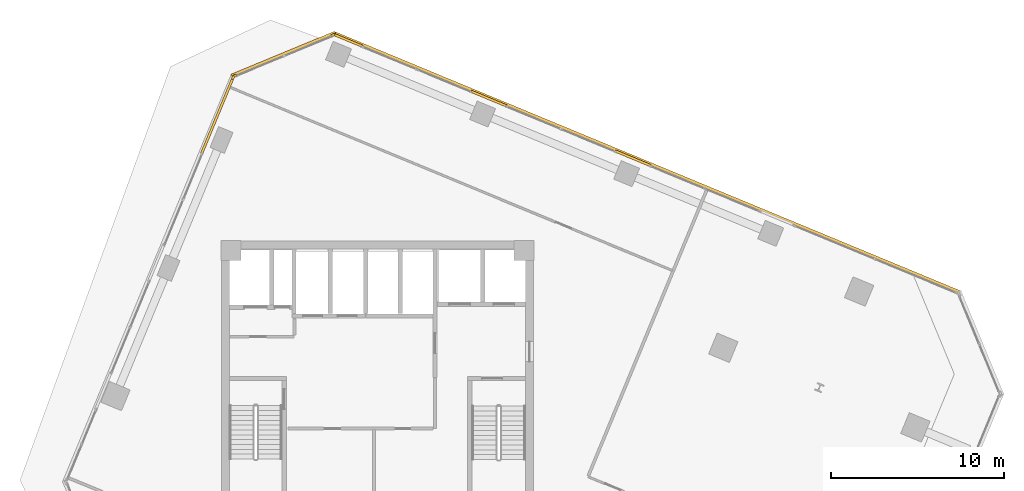
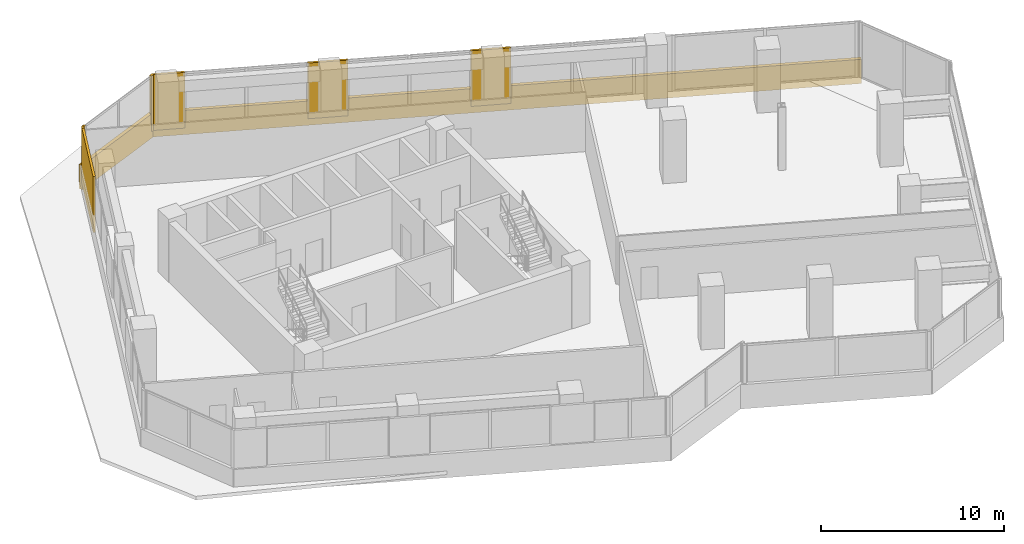
# One storey, part 24 of 24: 9 coverings.
"""IFC4 building model written with IfcOpenShell, lengths in metres."""

from ifc_helpers import new_model, si_unit, direction, frame, origin, origin_2d, place, context, subcontext, project, spatial, rectangle, extrude, source, transform, mapped, material, layer, layer_set, type_object, element, save


model = new_model("IFC4")

# Units and contexts
model_context = context("Model", 3, precision=1e-05, world=origin(), true_north=direction((0.0, 1.0)))
body_context = subcontext(model_context, "Body", "Model", "MODEL_VIEW")
ifc_project = project(units=[si_unit("LENGTHUNIT", "METRE"), si_unit("AREAUNIT", "SQUARE_METRE"), si_unit("VOLUMEUNIT", "CUBIC_METRE"), si_unit("PLANEANGLEUNIT", "RADIAN"), si_unit("MASSUNIT", "GRAM", prefix="KILO")], contexts=[model_context])

# Site, building, storey
site_placement = place(None, origin())
site = spatial("IfcSite", under=ifc_project, at=site_placement, CompositionType="ELEMENT")
building_placement = place(site_placement, origin())
building = spatial("IfcBuilding", under=site, at=building_placement, Name="Torre Montelarca", CompositionType="ELEMENT")
storey_placement = place(building_placement, frame((0.0, 0.0, 141.39990234375)))
storey = spatial("IfcBuildingStorey", under=building, at=storey_placement, Name="L31", CompositionType="ELEMENT", Elevation=141.39990234375)

# Coverings
ifc_material = material(Name="Bush-hammered warm white precast concrete C45/55", Category="concrete")
ifc_layer = layer(ifc_material, 0.139892578125, Name="Bush-hammered warm white precast concrete C45/55", Category="concrete")
ifc_layer_set = layer_set([ifc_layer], Name="Bush-hammered warm white precast concrete C45/55")
covering_type = type_object("IfcCoveringType", Name="COV-TRAY-CLAD", PredefinedType="CLADDING", material=ifc_layer_set)
shared_shape_1 = source(origin(), body_context, "Body", "SweptSolid", [
    extrude(rectangle(XDim=6.48388671875, YDim=0.219970703125, at=origin_2d()), origin(), (0.0, 0.0, 1.0), 1.6201171875),
])
covering_1_placement = place(storey_placement, frame((12.575927734375, 50.77294921875, -0.449951171875), z_axis=(0.0, 0.0, 1.0), x_axis=(-0.923880200418, -0.382681819891, 0.0)))
element("IfcCovering", 1, at=covering_1_placement, inside=storey, type_object=covering_type, Name="L31 Architectural White Spandrel Tray Band TRYBOT-09", PredefinedType="CLADDING", context=body_context, shape_type="MappedRepresentation", body=[
    mapped(shared_shape_1, transform((0.0, 0.0, 0.0), scale=1.0)),
])
shared_shape_2 = source(origin(), body_context, "Body", "SweptSolid", [
    extrude(rectangle(XDim=0.199951171875, YDim=0.139892578125, at=origin_2d()), origin(), (0.0, 0.0, 1.0), 3.719970703125),
])
for number, where, z_axis, x_axis, name in (
    (2, (15.431640625, 51.890869140625, 0.0), (0.0, 0.0, 1.0), (-0.923879532511, -0.382683432365, 0.0), "L31 Architectural Column Pier Cladding E09-1"),
    (3, (9.76611328125, 49.544189453125, 0.0), (0.0, 0.0, 1.0), (-0.923879532511, -0.382683432365, 0.0), "L31 Architectural Column Pier Cladding E09-2"),
    (4, (9.66357421875, 49.44140625, 0.0), (0.0, 0.0, 1.0), (-0.382680207415, -0.923880868323, 0.0), "L31 Architectural Column Pier Cladding E10-1"),
):
    element("IfcCovering", number, at=place(storey_placement, frame(where, z_axis=z_axis, x_axis=x_axis)), inside=storey, type_object=covering_type, Name=name, PredefinedType="CLADDING", context=body_context, shape_type="MappedRepresentation", body=[
        mapped(shared_shape_2, transform((0.0, 0.0, 0.0), scale=1.0)),
    ])
shared_shape_3 = source(origin(), body_context, "Body", "SweptSolid", [
    extrude(rectangle(XDim=4.76416015625, YDim=0.139892578125, at=origin_2d()), origin(), (0.0, 0.0, 1.0), 3.719970703125),
])
covering_2_placement = place(storey_placement, frame((8.751953125, 47.24072265625, 0.0), z_axis=(0.0, 0.0, 1.0), x_axis=(-0.382680207415, -0.923880868323, 0.0)))
element("IfcCovering", 5, at=covering_2_placement, inside=storey, type_object=covering_type, Name="L31 Architectural Column Pier Cladding E10-2", PredefinedType="CLADDING", context=body_context, shape_type="MappedRepresentation", body=[
    mapped(shared_shape_3, transform((0.0, 0.0, 0.0), scale=1.0)),
])
shared_shape_4 = source(origin(), body_context, "Body", "SweptSolid", [
    extrude(rectangle(XDim=39.219970703125, YDim=0.219970703125, at=origin_2d()), origin(), (0.0, 0.0, 1.0), 1.6201171875),
])
covering_3_placement = place(storey_placement, frame((33.5546875, 44.509033203125, -0.449951171875), z_axis=(0.0, 0.0, 1.0), x_axis=(-0.923878864601, 0.382685044838, 0.0)))
element("IfcCovering", 6, at=covering_3_placement, inside=storey, type_object=covering_type, Name="L31 Architectural White Spandrel Tray Band TRYBOT-08", PredefinedType="CLADDING", context=body_context, shape_type="MappedRepresentation", body=[
    mapped(shared_shape_4, transform((0.0, 0.0, 0.0), scale=1.0)),
])
shared_shape_5 = source(origin(), body_context, "Body", "SweptSolid", [
    extrude(rectangle(XDim=2.2099609375, YDim=0.139892578125, at=origin_2d()), origin(), (0.0, 0.0, 1.0), 3.719970703125),
])
for number, where, z_axis, x_axis, name in (
    (7, (32.746337890625, 44.77880859375, 0.0), (0.0, 0.0, 1.0), (-0.923878864601, 0.382685044838, 0.0), "L31 Architectural Column Pier Cladding E08-3"),
    (8, (24.431396484375, 48.22314453125, 0.0), (0.0, 0.0, 1.0), (-0.923878864601, 0.382685044838, 0.0), "L31 Architectural Column Pier Cladding E08-4"),
):
    element("IfcCovering", number, at=place(storey_placement, frame(where, z_axis=z_axis, x_axis=x_axis)), inside=storey, type_object=covering_type, Name=name, PredefinedType="CLADDING", context=body_context, shape_type="MappedRepresentation", body=[
        mapped(shared_shape_5, transform((0.0, 0.0, 0.0), scale=1.0)),
    ])
shared_shape_6 = source(origin(), body_context, "Body", "SweptSolid", [
    extrude(rectangle(XDim=1.789306640625, YDim=0.139892578125, at=origin_2d()), origin(), (0.0, 0.0, 1.0), 3.719970703125),
])
covering_4_placement = place(storey_placement, frame((16.31103515625, 51.586669921875, 0.0), z_axis=(0.0, 0.0, 1.0), x_axis=(-0.923878864601, 0.382685044838, 0.0)))
element("IfcCovering", 9, at=covering_4_placement, inside=storey, type_object=covering_type, Name="L31 Architectural Column Pier Cladding E08-5", PredefinedType="CLADDING", context=body_context, shape_type="MappedRepresentation", body=[
    mapped(shared_shape_6, transform((0.0, 0.0, 0.0), scale=1.0)),
])

save(model, "model.ifc")
